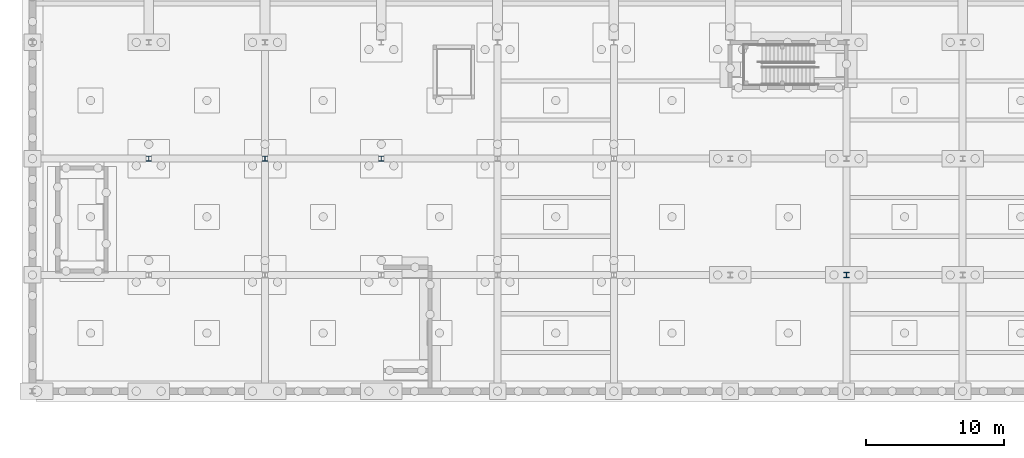
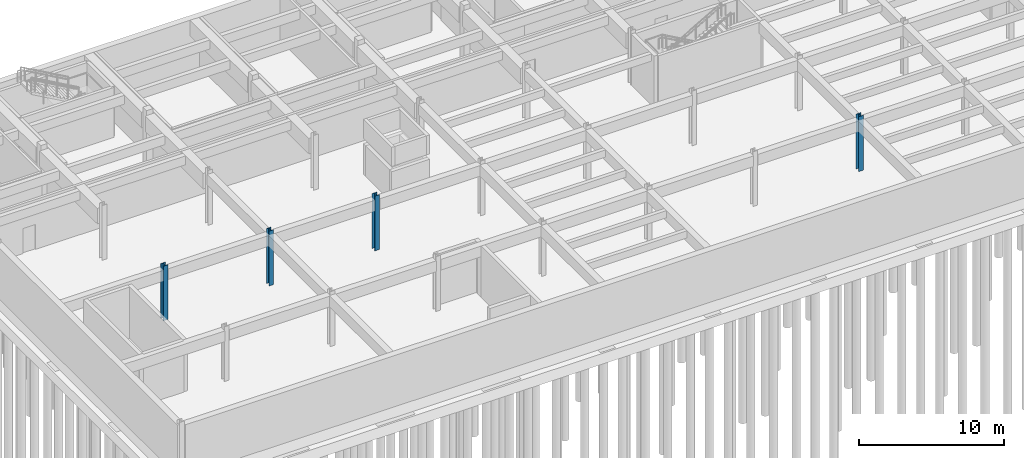
# One storey, part 12 of 33: 4 columns.
"""IFC4 building model written with IfcOpenShell, lengths in metres."""

from ifc_helpers import new_model, si_unit, direction, frame, origin, origin_2d, place, context, subcontext, project, spatial, i_section, extrude, material, material_profile, profile_set, type_object, element, save


model = new_model("IFC4")

# Units and contexts
model_context = context("Model", 3, precision=1e-05, world=origin(), true_north=direction((0.0, 1.0)))
body_context = subcontext(model_context, "Body", "Model", "MODEL_VIEW")
ifc_project = project(units=[si_unit("LENGTHUNIT", "METRE"), si_unit("AREAUNIT", "SQUARE_METRE"), si_unit("VOLUMEUNIT", "CUBIC_METRE"), si_unit("PLANEANGLEUNIT", "RADIAN"), si_unit("MASSUNIT", "GRAM", prefix="KILO")], contexts=[model_context])

# Site, building, storey
site_placement = place(None, origin())
site = spatial("IfcSite", under=ifc_project, at=site_placement, CompositionType="ELEMENT")
building_placement = place(site_placement, origin())
building = spatial("IfcBuilding", under=site, at=building_placement, Name="Ljudholm Concert House", CompositionType="ELEMENT")
storey_placement = place(building_placement, frame((0.0, 0.0, -4.60009765625)))
storey = spatial("IfcBuildingStorey", under=building, at=storey_placement, Name="B1", CompositionType="ELEMENT", Elevation=-4.60009765625)

# Columns
ifc_material = material(Name="Steel ASTM A992", Category="steel")
ifc_material_profile = material_profile(ifc_material, i_section(OverallWidth=0.373291015625, OverallDepth=0.373291015625, WebThickness=0.016357421875, FlangeThickness=0.026123046875, FilletRadius=0.01513671875, at=origin_2d()), Name="W14X132")
ifc_profile_set = profile_set([ifc_material_profile], Name="Steel ASTM A992")
column_type = type_object("IfcColumnType", Name="STEEL COLUMN W14X132", PredefinedType="COLUMN", material=ifc_profile_set)
for number, where, z_axis, x_axis, name in (
    (1, (62.800048828125, 113.199951171875, 0.0), (0.0, 0.0, 1.0), (1.0, 0.0, 0.0), "Basement column"),
    (2, (12.39990234375, 121.60009765625, 0.0), (0.0, 0.0, 1.0), (1.0, 0.0, 0.0), "Basement column"),
    (3, (20.800048828125, 121.60009765625, 0.0), (0.0, 0.0, 1.0), (1.0, 0.0, 0.0), "Basement column"),
    (4, (29.199951171875, 121.60009765625, 0.0), (0.0, 0.0, 1.0), (1.0, 0.0, 0.0), "Basement column"),
):
    element("IfcColumn", number, at=place(storey_placement, frame(where, z_axis=z_axis, x_axis=x_axis)), inside=storey, type_object=column_type, Name=name, PredefinedType="COLUMN", context=body_context, shape_type="SweptSolid", body=[
        extrude(i_section(OverallWidth=0.373291015625, OverallDepth=0.373291015625, WebThickness=0.016357421875, FlangeThickness=0.026123046875, FilletRadius=0.01513671875, at=origin_2d()), origin(), (0.0, 0.0, 1.0), 4.60009765625),
    ])

save(model, "model.ifc")
